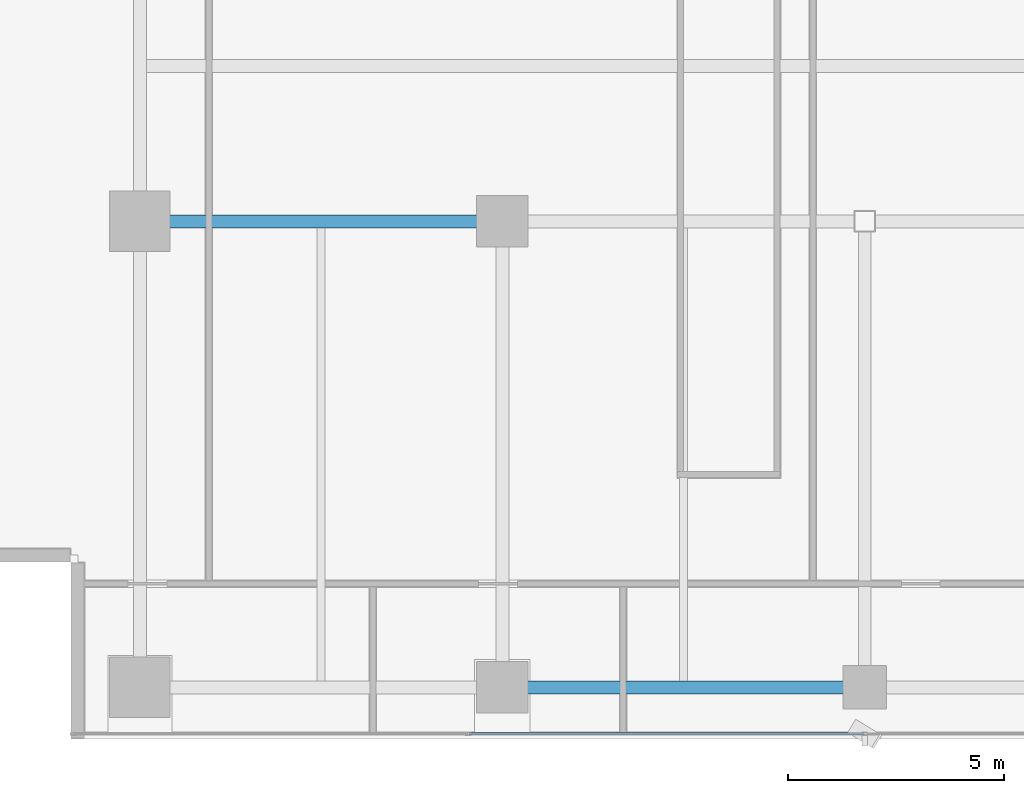
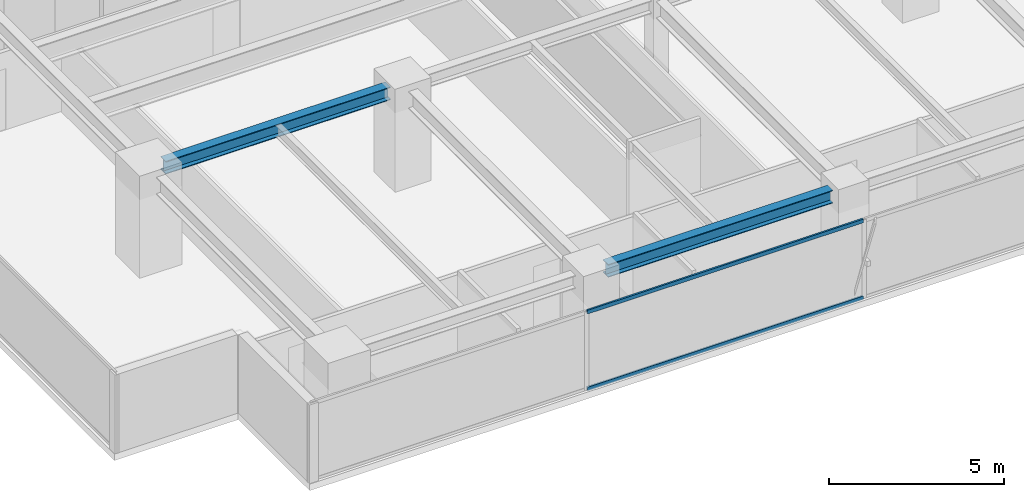
# One storey, part 5 of 25: 2 beams, 2 members, 1 element without a shape of its own.
"""IFC4 building model written with IfcOpenShell, lengths in metres."""

from ifc_helpers import new_model, si_unit, direction, frame, origin, origin_2d, place, context, subcontext, project, spatial, hollow_rectangle, i_section, extrude, source, transform, mapped, material, layer, layer_set, material_profile, profile_set, type_object, element, aggregate, save


model = new_model("IFC4")

# Units and contexts
model_context = context("Model", 3, precision=1e-05, world=origin(), true_north=direction((0.0, 1.0)))
body_context = subcontext(model_context, "Body", "Model", "MODEL_VIEW")
ifc_project = project(units=[si_unit("LENGTHUNIT", "METRE"), si_unit("AREAUNIT", "SQUARE_METRE"), si_unit("VOLUMEUNIT", "CUBIC_METRE"), si_unit("PLANEANGLEUNIT", "RADIAN"), si_unit("MASSUNIT", "GRAM", prefix="KILO")], contexts=[model_context])

# Site, building, storey
site_placement = place(None, origin())
site = spatial("IfcSite", under=ifc_project, at=site_placement, CompositionType="ELEMENT")
building_placement = place(site_placement, origin())
building = spatial("IfcBuilding", under=site, at=building_placement, Name="Sumidabori Civic Tower", CompositionType="ELEMENT")
storey_placement = place(building_placement, frame((0.0, 0.0, 232.39990234375)))
storey = spatial("IfcBuildingStorey", under=building, at=storey_placement, Name="L60", CompositionType="ELEMENT", Elevation=232.39990234375)

# Beams
ifc_material_1 = material(Name="Steel SN490", Category="steel")
ifc_material_profile_1 = material_profile(ifc_material_1, i_section(OverallWidth=0.300048828125, OverallDepth=0.449951171875, WebThickness=0.013916015625, FlangeThickness=0.02587890625, at=origin_2d()), Name="HE 450 B")
ifc_profile_set_1 = profile_set([ifc_material_profile_1], Name="Steel SN490")
beam_type = type_object("IfcBeamType", Name="BM-GIRD-450", PredefinedType="BEAM", material=ifc_profile_set_1)
shared_shape_1 = source(origin(), body_context, "Body", "SweptSolid", [
    extrude(i_section(OverallWidth=0.300048828125, OverallDepth=0.449951171875, WebThickness=0.013916015625, FlangeThickness=0.02587890625, at=origin_2d()), origin(), (0.0, 0.0, 1.0), 7.440185546875),
])
beam_1_placement = place(storey_placement, frame((-16.320068359375, 0.0, 3.14501953125), z_axis=(1.0, 0.0, 0.0), x_axis=(0.0, 1.0, 0.0)))
element("IfcBeam", 1, at=beam_1_placement, inside=storey, type_object=beam_type, Name="Primary Girder L60 GX-05", PredefinedType="BEAM", context=body_context, shape_type="MappedRepresentation", body=[
    mapped(shared_shape_1, transform((0.0, 0.0, 0.0), x_axis=(1.0, 0.0, 0.0), y_axis=(0.0, 1.0, 0.0), z_axis=(0.0, 0.0, 1.0), scale=1.0)),
])
shared_shape_2 = source(origin(), body_context, "Body", "SweptSolid", [
    extrude(i_section(OverallWidth=0.300048828125, OverallDepth=0.449951171875, WebThickness=0.013916015625, FlangeThickness=0.02587890625, at=origin_2d()), origin(), (0.0, 0.0, 1.0), 7.43994140625),
])
beam_2_placement = place(storey_placement, frame((-7.919921875, -10.800048828125, 3.14501953125), z_axis=(1.0, 0.0, 0.0), x_axis=(0.0, 1.0, 0.0)))
element("IfcBeam", 2, at=beam_2_placement, inside=storey, type_object=beam_type, Name="Primary Girder L60 GX-02", PredefinedType="BEAM", context=body_context, shape_type="MappedRepresentation", body=[
    mapped(shared_shape_2, transform((0.0, 0.0, 0.0), x_axis=(1.0, 0.0, 0.0), y_axis=(0.0, 1.0, 0.0), z_axis=(0.0, 0.0, 1.0), scale=1.0)),
])

# Curtain wall, members
ifc_material_2 = material(Name="Anodised Bronze Aluminium AW-6063-T6", Category="aluminium")
ifc_layer = layer(ifc_material_2, 0.179931640625, Name="Anodised Bronze Aluminium AW-6063-T6")
ifc_layer_set = layer_set([ifc_layer], Name="Anodised Bronze Aluminium AW-6063-T6")
curtain_wall_type = type_object("IfcCurtainWallType", Name="CW-SYS-5", PredefinedType="NOTDEFINED", material=ifc_layer_set)
curtain_wall_placement = place(storey_placement, origin())
curtain_wall = element("IfcCurtainWall", 3, at=curtain_wall_placement, inside=storey, type_object=curtain_wall_type, Name="Curtain Wall CW:L60:R01", PredefinedType="NOTDEFINED")
ifc_material_profile_2 = material_profile(ifc_material_2, hollow_rectangle(XDim=0.06005859375, YDim=0.1298828125, WallThickness=0.0048828125, at=origin_2d()), Name="ALU TRANSOM 130x60")
ifc_profile_set_2 = profile_set([ifc_material_profile_2], Name="Anodised Bronze Aluminium AW-6063-T6")
member_type = type_object("IfcMemberType", Name="CW-TRN-130", PredefinedType="USERDEFINED", material=ifc_profile_set_2)
shared_shape_3 = source(origin(), body_context, "Body", "SweptSolid", [
    extrude(hollow_rectangle(XDim=0.06005859375, YDim=0.1298828125, WallThickness=0.0048828125, at=origin_2d()), origin(), (0.0, 0.0, 1.0), 9.125),
])
member_1_placement = place(storey_placement, frame((-9.155029296875, -11.8798828125, 0.030029296875), z_axis=(1.0, 0.0, 0.0), x_axis=(0.0, 1.0, 0.0)))
member_1 = element("IfcMember", 4, at=member_1_placement, type_object=member_type, Name="CW-5 transom 2.1", ObjectType="TRANSOM", PredefinedType="USERDEFINED", context=body_context, shape_type="MappedRepresentation", body=[
    mapped(shared_shape_3, transform((0.0, 0.0, 0.0), x_axis=(1.0, 0.0, 0.0), y_axis=(0.0, 1.0, 0.0), z_axis=(0.0, 0.0, 1.0), scale=1.0)),
])
member_2_placement = place(storey_placement, frame((-9.155029296875, -11.8798828125, 2.72021484375), z_axis=(1.0, 0.0, 0.0), x_axis=(0.0, 1.0, 0.0)))
member_2 = element("IfcMember", 5, at=member_2_placement, type_object=member_type, Name="CW-5 transom 2.2", ObjectType="TRANSOM", PredefinedType="USERDEFINED", context=body_context, shape_type="MappedRepresentation", body=[
    mapped(shared_shape_3, transform((0.0, 0.0, 0.0), x_axis=(1.0, 0.0, 0.0), y_axis=(0.0, 1.0, 0.0), z_axis=(0.0, 0.0, 1.0), scale=1.0)),
])
aggregate(curtain_wall, [member_1, member_2])

save(model, "model.ifc")
